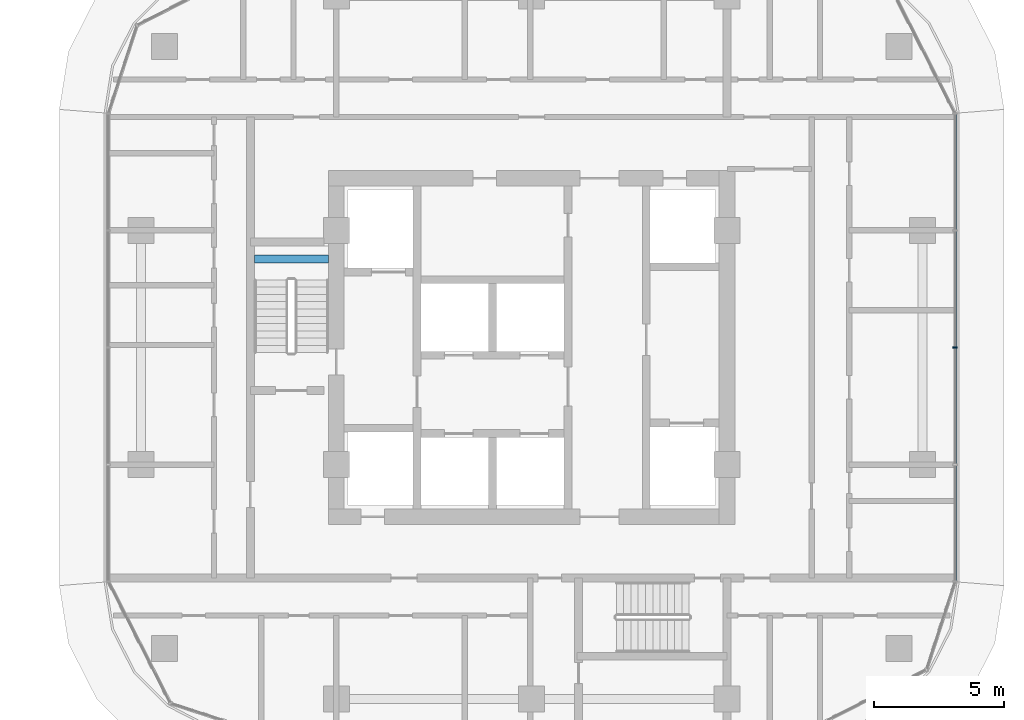
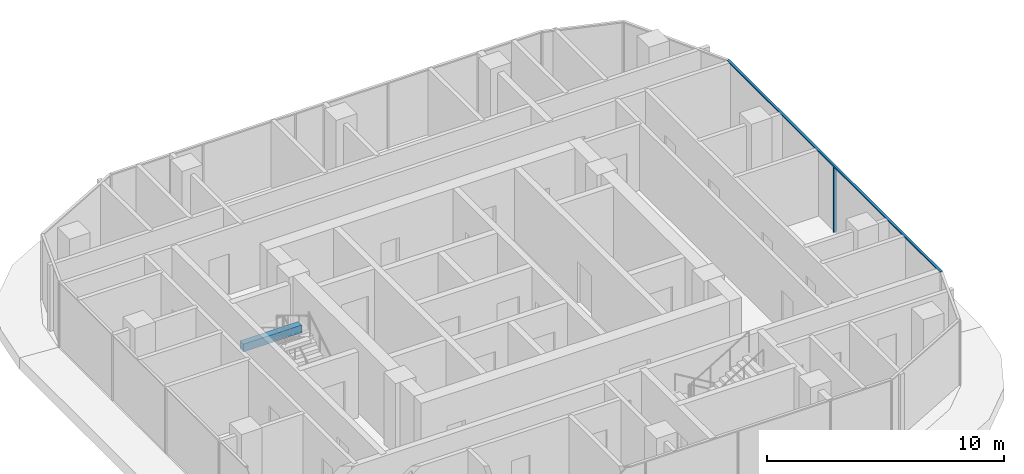
# One storey, part 12 of 39: 2 members, 1 beam, 1 element without a shape of its own.
"""IFC4 building model written with IfcOpenShell, lengths in metres."""

from ifc_helpers import new_model, si_unit, direction, frame, origin, origin_2d, place, context, subcontext, project, spatial, rectangle, extrude, material, material_profile, profile_set, type_object, element, aggregate, save


model = new_model("IFC4")

# Units and contexts
model_context = context("Model", 3, precision=1e-05, world=origin(), true_north=direction((0.0, 1.0)))
body_context = subcontext(model_context, "Body", "Model", "MODEL_VIEW")
ifc_project = project(units=[si_unit("LENGTHUNIT", "METRE"), si_unit("AREAUNIT", "SQUARE_METRE"), si_unit("VOLUMEUNIT", "CUBIC_METRE"), si_unit("PLANEANGLEUNIT", "RADIAN"), si_unit("MASSUNIT", "GRAM", prefix="KILO")], contexts=[model_context])

# Site, building, storey
site_placement = place(None, origin())
site = spatial("IfcSite", under=ifc_project, at=site_placement, CompositionType="ELEMENT")
building_placement = place(site_placement, origin())
building = spatial("IfcBuilding", under=site, at=building_placement, Name="Ogive Portal Towers", CompositionType="ELEMENT")
storey_placement = place(building_placement, frame((0.0, 0.0, 44.60009765625)))
storey = spatial("IfcBuildingStorey", under=building, at=storey_placement, Name="L09", CompositionType="ELEMENT", Elevation=44.60009765625)

# Beam
ifc_material_1 = material(Name="Concrete C40/50", Category="concrete")
ifc_material_profile_1 = material_profile(ifc_material_1, rectangle(XDim=0.300048828125, YDim=0.39990234375, at=origin_2d()), Name="RC 300x400")
ifc_profile_set_1 = profile_set([ifc_material_profile_1], Name="Concrete C40/50")
beam_type = type_object("IfcBeamType", Name="BEAM RC 300x400", PredefinedType="BEAM", material=ifc_profile_set_1)
beam_placement = place(storey_placement, frame((125.85009765625, 34.39990234375, 1.449951171875), z_axis=(1.0, 0.0, 0.0), x_axis=(0.0, 1.0, 0.0)))
element("IfcBeam", 1, at=beam_placement, inside=storey, type_object=beam_type, Name="Landing beam L09", PredefinedType="BEAM", context=body_context, shape_type="SweptSolid", body=[
    extrude(rectangle(XDim=0.300048828125, YDim=0.39990234375, at=origin_2d()), origin(), (0.0, 0.0, 1.0), 2.849853515625),
])

# Curtain wall, members
ifc_material_2 = material(Name="Glass, clear low-iron insulated glazing", Category="glass")
curtain_wall_type = type_object("IfcCurtainWallType", Name="CW RESIDENCES RIBBON", PredefinedType="NOTDEFINED", material=ifc_material_2)
curtain_wall_placement = place(storey_placement, origin())
curtain_wall = element("IfcCurtainWall", 2, at=curtain_wall_placement, inside=storey, type_object=curtain_wall_type, Name="B:L09:f05:cw0", PredefinedType="NOTDEFINED")
ifc_material_3 = material(Name="Aluminium 6063 anodised", Category="aluminium")
ifc_material_profile_2 = material_profile(ifc_material_3, rectangle(XDim=0.159912109375, YDim=0.06005859375, at=origin_2d()), Name="AL 60x160")
ifc_profile_set_2 = profile_set([ifc_material_profile_2], Name="Aluminium 6063 anodised")
member_type_1 = type_object("IfcMemberType", Name="CW MULLION 60x160", PredefinedType="MULLION", material=ifc_profile_set_2)
member_1_placement = place(storey_placement, frame((152.7548828125, 31.0, 0.0), z_axis=(0.0, 0.0, 1.0), x_axis=(-1.0, 0.0, 0.0)))
member_1 = element("IfcMember", 3, at=member_1_placement, type_object=member_type_1, Name="mullion", PredefinedType="MULLION", context=body_context, shape_type="SweptSolid", body=[
    extrude(rectangle(XDim=0.159912109375, YDim=0.06005859375, at=origin_2d()), origin(), (0.0, 0.0, 1.0), 3.33984375),
])
ifc_material_profile_3 = material_profile(ifc_material_3, rectangle(XDim=0.1201171875, YDim=0.06005859375, at=origin_2d()), Name="AL 120x60")
ifc_profile_set_3 = profile_set([ifc_material_profile_3], Name="Aluminium 6063 anodised")
member_type_2 = type_object("IfcMemberType", Name="CW TRANSOM 60x120", PredefinedType="USERDEFINED", material=ifc_profile_set_3)
member_2_placement = place(storey_placement, frame((152.7548828125, 22.0126953125, 3.369873046875), z_axis=(0.0, 1.0, 0.0), x_axis=(-1.0, 0.0, 0.0)))
member_2 = element("IfcMember", 4, at=member_2_placement, type_object=member_type_2, Name="transom", ObjectType="TRANSOM", PredefinedType="USERDEFINED", context=body_context, shape_type="SweptSolid", body=[
    extrude(rectangle(XDim=0.1201171875, YDim=0.06005859375, at=origin_2d()), origin(), (0.0, 0.0, 1.0), 17.968017578125),
])
aggregate(curtain_wall, [member_2, member_1])

save(model, "model.ifc")
